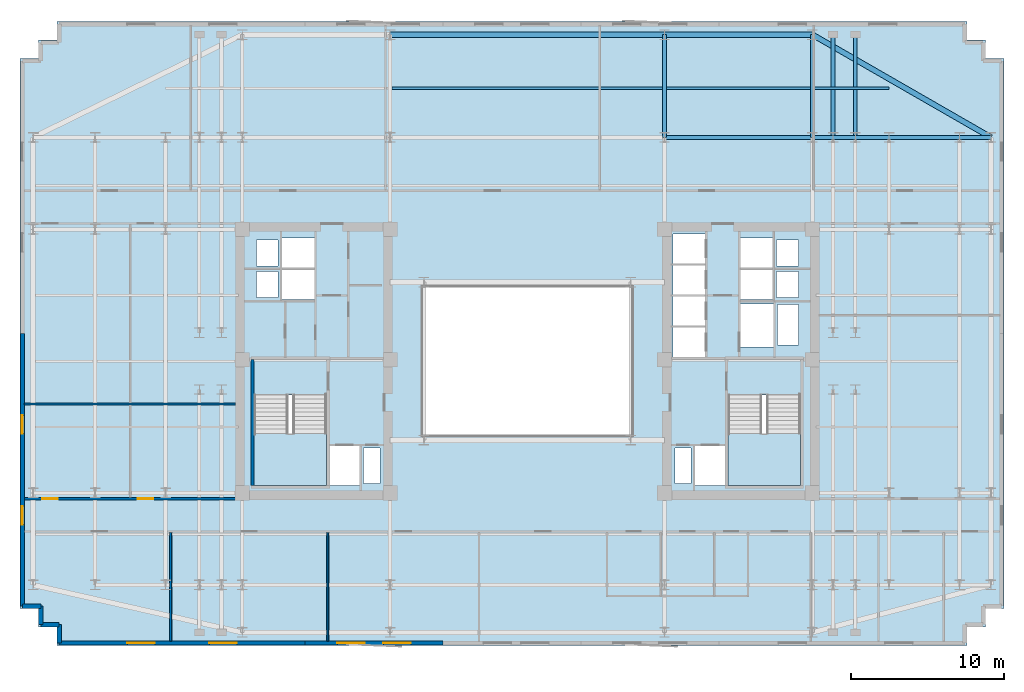
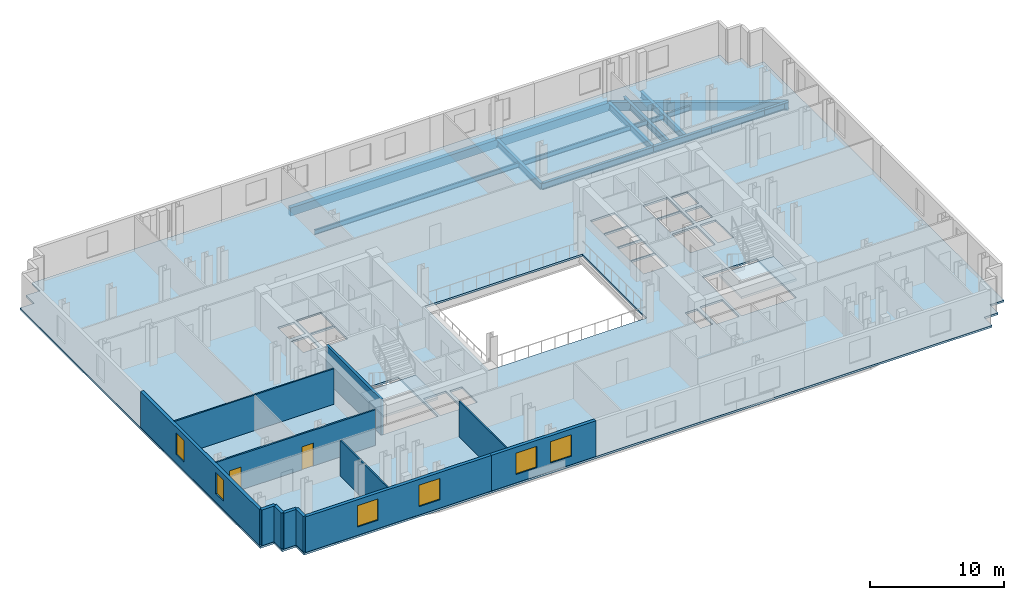
# One storey, part 3 of 9: 14 beams, 12 walls, 6 windows, 3 slabs, 2 doors, 8 openings, 2 elements without a shape of their own.
"""IFC4 building model written with IfcOpenShell, lengths in metres."""

from ifc_helpers import new_model, si_unit, direction, frame, frame_2d, origin, origin_2d, place, context, subcontext, project, spatial, polyline, rectangle, i_section, outline, extrude, material, layer, layer_set, material_profile, profile_set, type_object, element, fill, aggregate, save


model = new_model("IFC4")

# Units and contexts
model_context = context("Model", 3, precision=1e-05, world=origin(), true_north=direction((0.0, 1.0)))
body_context = subcontext(model_context, "Body", "Model", "MODEL_VIEW")
ifc_project = project(units=[si_unit("LENGTHUNIT", "METRE"), si_unit("AREAUNIT", "SQUARE_METRE"), si_unit("VOLUMEUNIT", "CUBIC_METRE"), si_unit("PLANEANGLEUNIT", "RADIAN"), si_unit("MASSUNIT", "GRAM", prefix="KILO")], contexts=[model_context])

# Site, building, storey
site_placement = place(None, origin())
site = spatial("IfcSite", under=ifc_project, at=site_placement, CompositionType="ELEMENT")
building_placement = place(site_placement, origin())
building = spatial("IfcBuilding", under=site, at=building_placement, Name="Velakula Bourse", CompositionType="ELEMENT")
storey_placement = place(building_placement, frame((0.0, 0.0, 138.10009765625)))
storey = spatial("IfcBuildingStorey", under=building, at=storey_placement, Name="L37", CompositionType="ELEMENT", Elevation=138.10009765625)

# Beams
ifc_material_1 = material(Name="Steel IS 2062 Grade 350 (E350)", Category="steel")
ifc_material_profile_1 = material_profile(ifc_material_1, i_section(OverallWidth=0.25, OverallDepth=0.60009765625, WebThickness=0.01123046875, FlangeThickness=0.021240234375, at=origin_2d()), Name="Steel IS 2062 Grade 350 (E350)")
ifc_profile_set_1 = profile_set([ifc_material_profile_1], Name="Steel IS 2062 Grade 350 (E350)")
beam_type_1 = type_object("IfcBeamType", Name="BM-GRD-600M", PredefinedType="BEAM", material=ifc_profile_set_1)
beam_1_placement = place(storey_placement, frame((8.949951171875, 14.60009765625, -0.47998046875), z_axis=(1.0, 0.0, 0.0), x_axis=(0.0, 1.0, 0.0)))
element("IfcBeam", 1, at=beam_1_placement, inside=storey, type_object=beam_type_1, Name="L37 Fulcrum Grid Girder FLC-N3", PredefinedType="BEAM", context=body_context, shape_type="SweptSolid", body=[
    extrude(i_section(OverallWidth=0.25, OverallDepth=0.60009765625, WebThickness=0.01123046875, FlangeThickness=0.021240234375, at=origin_2d()), origin(), (0.0, 0.0, 1.0), 9.650146484375),
])
beam_2_placement = place(storey_placement, frame((18.60009765625, 14.60009765625, -0.47998046875), z_axis=(1.0, 0.0, 0.0), x_axis=(0.0, 1.0, 0.0)))
element("IfcBeam", 2, at=beam_2_placement, inside=storey, type_object=beam_type_1, Name="L37 Fulcrum Grid Girder MWG-EN2", PredefinedType="BEAM", context=body_context, shape_type="SweptSolid", body=[
    extrude(i_section(OverallWidth=0.25, OverallDepth=0.60009765625, WebThickness=0.01123046875, FlangeThickness=0.021240234375, at=origin_2d()), origin(), (0.0, 0.0, 1.0), 5.0),
])
beam_3_placement = place(storey_placement, frame((23.60009765625, 14.60009765625, -0.47998046875), z_axis=(1.0, 0.0, 0.0), x_axis=(0.0, 1.0, 0.0)))
element("IfcBeam", 3, at=beam_3_placement, inside=storey, type_object=beam_type_1, Name="L37 Fulcrum Grid Girder WNG-EN2", PredefinedType="BEAM", context=body_context, shape_type="SweptSolid", body=[
    extrude(i_section(OverallWidth=0.25, OverallDepth=0.60009765625, WebThickness=0.01123046875, FlangeThickness=0.021240234375, at=origin_2d()), origin(), (0.0, 0.0, 1.0), 4.599853515625),
])
for number, where, z_axis, x_axis, name in (
    (4, (8.949951171875, 14.60009765625, -0.47998046875), (0.0, 1.0, 0.0), (-1.0, 0.0, 0.0), "L37 Perimeter Tie Girder N3"),
    (5, (18.60009765625, 14.60009765625, -0.47998046875), (0.0, 1.0, 0.0), (-1.0, 0.0, 0.0), "L37 Perimeter Tie Girder N4"),
):
    element("IfcBeam", number, at=place(storey_placement, frame(where, z_axis=z_axis, x_axis=x_axis)), inside=storey, type_object=beam_type_1, Name=name, PredefinedType="BEAM", context=body_context, shape_type="SweptSolid", body=[
        extrude(i_section(OverallWidth=0.25, OverallDepth=0.60009765625, WebThickness=0.01123046875, FlangeThickness=0.021240234375, at=origin_2d()), origin(), (0.0, 0.0, 1.0), 6.699951171875),
    ])
beam_4_placement = place(storey_placement, frame((28.199951171875, 14.60009765625, -0.47998046875), z_axis=(1.0, 0.0, 0.0), x_axis=(0.0, 1.0, 0.0)))
element("IfcBeam", 6, at=beam_4_placement, inside=storey, type_object=beam_type_1, Name="L37 Perimeter Tie Girder E4", PredefinedType="BEAM", context=body_context, shape_type="SweptSolid", body=[
    extrude(i_section(OverallWidth=0.25, OverallDepth=0.60009765625, WebThickness=0.01123046875, FlangeThickness=0.021240234375, at=origin_2d()), origin(), (0.0, 0.0, 1.0), 2.050048828125),
])
for number, where, z_axis, x_axis, name in (
    (7, (19.949951171875, 14.60009765625, -0.47998046875), (0.0, 1.0, 0.0), (-1.0, 0.0, 0.0), "L37 Perimeter Tie Girder P07"),
    (8, (21.39990234375, 14.60009765625, -0.47998046875), (0.0, 1.0, 0.0), (-1.0, 0.0, 0.0), "L37 Perimeter Tie Girder P08"),
):
    element("IfcBeam", number, at=place(storey_placement, frame(where, z_axis=z_axis, x_axis=x_axis)), inside=storey, type_object=beam_type_1, Name=name, PredefinedType="BEAM", context=body_context, shape_type="SweptSolid", body=[
        extrude(i_section(OverallWidth=0.25, OverallDepth=0.60009765625, WebThickness=0.01123046875, FlangeThickness=0.021240234375, at=origin_2d()), origin(), (0.0, 0.0, 1.0), 6.699951171875),
    ])
ifc_material_profile_2 = material_profile(ifc_material_1, i_section(OverallWidth=0.14990234375, OverallDepth=0.449951171875, WebThickness=0.009521484375, FlangeThickness=0.017333984375, at=origin_2d()), Name="Steel IS 2062 Grade 350 (E350)")
ifc_profile_set_2 = profile_set([ifc_material_profile_2], Name="Steel IS 2062 Grade 350 (E350)")
beam_type_2 = type_object("IfcBeamType", Name="JST-TWR-450", PredefinedType="JOIST", material=ifc_profile_set_2)
beam_5_placement = place(storey_placement, frame((-8.824951171875, 17.800048828125, -0.405029296875), z_axis=(1.0, 0.0, 0.0), x_axis=(0.0, 1.0, 0.0)))
element("IfcBeam", 9, at=beam_5_placement, inside=storey, type_object=beam_type_2, Name="L37 Trading Floor Composite Joist 19", PredefinedType="JOIST", context=body_context, shape_type="SweptSolid", body=[
    extrude(i_section(OverallWidth=0.14990234375, OverallDepth=0.449951171875, WebThickness=0.009521484375, FlangeThickness=0.017333984375, at=origin_2d()), origin(), (0.0, 0.0, 1.0), 17.64990234375),
])
beam_6_placement = place(storey_placement, frame((9.074951171875, 17.800048828125, -0.405029296875), z_axis=(1.0, 0.0, 0.0), x_axis=(0.0, 1.0, 0.0)))
element("IfcBeam", 10, at=beam_6_placement, inside=storey, type_object=beam_type_2, Name="L37 Trading Floor Composite Joist 20", PredefinedType="JOIST", context=body_context, shape_type="SweptSolid", body=[
    extrude(i_section(OverallWidth=0.14990234375, OverallDepth=0.449951171875, WebThickness=0.009521484375, FlangeThickness=0.017333984375, at=origin_2d()), origin(), (0.0, 0.0, 1.0), 9.400146484375),
])
beam_7_placement = place(storey_placement, frame((18.72509765625, 17.800048828125, -0.405029296875), z_axis=(1.0, 0.0, 0.0), x_axis=(0.0, 1.0, 0.0)))
element("IfcBeam", 11, at=beam_7_placement, inside=storey, type_object=beam_type_2, Name="L37 Trading Floor Composite Joist 21", PredefinedType="JOIST", context=body_context, shape_type="SweptSolid", body=[
    extrude(i_section(OverallWidth=0.14990234375, OverallDepth=0.449951171875, WebThickness=0.009521484375, FlangeThickness=0.017333984375, at=origin_2d()), origin(), (0.0, 0.0, 1.0), 4.875),
])
ifc_material_2 = material(Name="Precast concrete M45 (fck 45 MPa)", Category="concrete")
ifc_material_profile_3 = material_profile(ifc_material_2, rectangle(XDim=0.35009765625, YDim=0.75, at=origin_2d()), Name="Precast concrete M45 (fck 45 MPa)")
ifc_profile_set_3 = profile_set([ifc_material_profile_3], Name="Precast concrete M45 (fck 45 MPa)")
beam_type_3 = type_object("IfcBeamType", Name="SPN-BRICK-750", PredefinedType="SPANDREL", material=ifc_profile_set_3)
beam_8_placement = place(storey_placement, frame((-8.949951171875, 21.300048828125, -0.55517578125), z_axis=(1.0, 0.0, 0.0), x_axis=(0.0, 1.0, 0.0)))
element("IfcBeam", 12, at=beam_8_placement, inside=storey, type_object=beam_type_3, Name="L37 Brick-Faced Precast Spandrel N2-N3", PredefinedType="SPANDREL", context=body_context, shape_type="SweptSolid", body=[
    extrude(rectangle(XDim=0.35009765625, YDim=0.75, at=origin_2d()), origin(), (0.0, 0.0, 1.0), 17.89990234375),
])
beam_9_placement = place(storey_placement, frame((8.949951171875, 21.300048828125, -0.55517578125), z_axis=(1.0, 0.0, 0.0), x_axis=(0.0, 1.0, 0.0)))
element("IfcBeam", 13, at=beam_9_placement, inside=storey, type_object=beam_type_3, Name="L37 Brick-Faced Precast Spandrel N3-N4", PredefinedType="SPANDREL", context=body_context, shape_type="SweptSolid", body=[
    extrude(rectangle(XDim=0.35009765625, YDim=0.75, at=origin_2d()), origin(), (0.0, 0.0, 1.0), 9.650146484375),
])
beam_10_placement = place(storey_placement, frame((30.25, 14.60009765625, -0.55517578125), z_axis=(-0.866865871572, 0.498541433286, 0.0), x_axis=(-0.498541433286, -0.866865871572, 0.0)))
element("IfcBeam", 14, at=beam_10_placement, inside=storey, type_object=beam_type_3, Name="L37 Brick-Faced Precast Spandrel E4-N4", PredefinedType="SPANDREL", context=body_context, shape_type="SweptSolid", body=[
    extrude(rectangle(XDim=0.35009765625, YDim=0.75, at=origin_2d()), origin(), (0.0, 0.0, 1.0), 13.439208984375),
])

# Stair, slab
ifc_material_3 = material(Name="Concrete M45 (fck 45 MPa)", Category="concrete")
stair_type = type_object("IfcStairType", Name="STR-DOG-390", PredefinedType="HALF_TURN_STAIR", material=ifc_material_3)
stair_1_placement = place(storey_placement, origin())
stair_1 = element("IfcStair", 15, at=stair_1_placement, inside=storey, type_object=stair_type, Name="L37 West Core Exit Stair ST-W1", PredefinedType="HALF_TURN_STAIR")
ifc_layer_1 = layer(ifc_material_3, 0.199951171875, Name="Concrete M45 (fck 45 MPa)", Category="concrete")
ifc_layer_set_1 = layer_set([ifc_layer_1], Name="Concrete M45 (fck 45 MPa)")
slab_type_1 = type_object("IfcSlabType", Name="SLB-STAIR-LND-200", PredefinedType="LANDING", material=ifc_layer_set_1)
slab_1_placement = place(storey_placement, frame((0.0, 0.0, 1.52490234375)))
slab_1 = element("IfcSlab", 16, at=slab_1_placement, type_object=slab_type_1, Name="ST-W1 landing 1", PredefinedType="LANDING", context=body_context, shape_type="SweptSolid", body=[
    extrude(outline(polyline([(-17.820068359375, -4.719970703125), (-17.820068359375, -8.10009765625), (-13.10009765625, -8.10009765625), (-13.10009765625, -4.719970703125), (-17.820068359375, -4.719970703125)])), origin(), (0.0, 0.0, 1.0), 0.199951171875),
])
aggregate(stair_1, [slab_1])

stair_2_placement = place(storey_placement, origin())
stair_2 = element("IfcStair", 17, at=stair_2_placement, inside=storey, type_object=stair_type, Name="L37 East Core Exit Stair ST-E1", PredefinedType="HALF_TURN_STAIR")
slab_2_placement = place(storey_placement, frame((0.0, 0.0, 1.52490234375)))
slab_2 = element("IfcSlab", 18, at=slab_2_placement, type_object=slab_type_1, Name="ST-E1 landing 1", PredefinedType="LANDING", context=body_context, shape_type="SweptSolid", body=[
    extrude(outline(polyline([(13.10009765625, -4.719970703125), (13.10009765625, -8.10009765625), (17.820068359375, -8.10009765625), (17.820068359375, -4.719970703125), (13.10009765625, -4.719970703125)])), origin(), (0.0, 0.0, 1.0), 0.199951171875),
])
aggregate(stair_2, [slab_2])

# Slab
ifc_material_4 = material(Name="Concrete M50 (fck 50 MPa)", Category="concrete")
ifc_layer_2 = layer(ifc_material_4, 0.179931640625, Name="Concrete M50 (fck 50 MPa)", Category="concrete")
ifc_layer_set_2 = layer_set([ifc_layer_2], Name="Concrete M50 (fck 50 MPa)")
slab_type_2 = type_object("IfcSlabType", Name="SLB-TWR-180", PredefinedType="FLOOR", material=ifc_layer_set_2)
slab_3_placement = place(storey_placement, frame((0.0, 0.0, -0.18017578125)))
element("IfcSlab", 19, at=slab_3_placement, inside=storey, type_object=slab_type_2, Name="L37 Suspended Structural Floor Slab", PredefinedType="FLOOR", context=body_context, shape_type="SweptSolid", body=[
    extrude(outline(polyline([(-30.699951171875, -18.550048828125), (28.699951171875, -18.550048828125), (28.699951171875, -17.35009765625), (29.89990234375, -17.35009765625), (29.89990234375, -16.14990234375), (31.10009765625, -16.14990234375), (31.10009765625, 19.75), (29.89990234375, 19.75), (29.89990234375, 20.949951171875), (28.699951171875, 20.949951171875), (28.699951171875, 22.14990234375), (-30.699951171875, 22.14990234375), (-30.699951171875, 20.949951171875), (-31.89990234375, 20.949951171875), (-31.89990234375, 19.75), (-33.10009765625, 19.75), (-33.10009765625, -16.14990234375), (-31.89990234375, -16.14990234375), (-31.89990234375, -17.35009765625), (-30.699951171875, -17.35009765625), (-30.699951171875, -18.550048828125)]), holes=[polyline([(-17.820068359375, -8.10009765625), (-13.10009765625, -8.10009765625), (-13.10009765625, -2.199951171875), (-17.820068359375, -2.199951171875), (-17.820068359375, -8.10009765625)]), polyline([(13.10009765625, -8.10009765625), (17.820068359375, -8.10009765625), (17.820068359375, -2.199951171875), (13.10009765625, -2.199951171875), (13.10009765625, -8.10009765625)]), polyline([(-12.89990234375, -8.10009765625), (-10.949951171875, -8.10009765625), (-10.949951171875, -5.550048828125), (-12.89990234375, -5.550048828125), (-12.89990234375, -8.10009765625)]), polyline([(10.949951171875, -8.10009765625), (12.89990234375, -8.10009765625), (12.89990234375, -5.550048828125), (10.949951171875, -5.550048828125), (10.949951171875, -8.10009765625)]), polyline([(13.89990234375, 0.919921875), (16.050048828125, 0.919921875), (16.050048828125, 3.719970703125), (13.89990234375, 3.719970703125), (13.89990234375, 0.919921875)]), polyline([(-10.679931640625, -7.97998046875), (-9.6201171875, -7.97998046875), (-9.6201171875, -5.669921875), (-10.679931640625, -5.669921875), (-10.679931640625, -7.97998046875)]), polyline([(-17.679931640625, 4.139892578125), (-16.27001953125, 4.139892578125), (-16.27001953125, 5.85009765625), (-17.679931640625, 5.85009765625), (-17.679931640625, 4.139892578125)]), polyline([(-17.679931640625, 6.2099609375), (-16.27001953125, 6.2099609375), (-16.27001953125, 7.919921875), (-17.679931640625, 7.919921875), (-17.679931640625, 6.2099609375)]), polyline([(9.6201171875, -7.97998046875), (10.679931640625, -7.97998046875), (10.679931640625, -5.669921875), (9.6201171875, -5.669921875), (9.6201171875, -7.97998046875)]), polyline([(16.27001953125, 4.139892578125), (17.679931640625, 4.139892578125), (17.679931640625, 5.85009765625), (16.27001953125, 5.85009765625), (16.27001953125, 4.139892578125)]), polyline([(16.27001953125, 6.2099609375), (17.679931640625, 6.2099609375), (17.679931640625, 7.919921875), (16.27001953125, 7.919921875), (16.27001953125, 6.2099609375)]), polyline([(16.320068359375, 1.0400390625), (17.679931640625, 1.0400390625), (17.679931640625, 3.699951171875), (16.320068359375, 3.699951171875), (16.320068359375, 1.0400390625)]), polyline([(9.5, 0.280029296875), (11.60009765625, 0.280029296875), (11.60009765625, 2.199951171875), (9.5, 2.199951171875), (9.5, 0.280029296875)]), polyline([(9.5, 2.31005859375), (11.60009765625, 2.31005859375), (11.60009765625, 4.22998046875), (9.5, 4.22998046875), (9.5, 2.31005859375)]), polyline([(9.5, 4.340087890625), (11.60009765625, 4.340087890625), (11.60009765625, 6.260009765625), (9.5, 6.260009765625), (9.5, 4.340087890625)]), polyline([(9.5, 6.3701171875), (11.60009765625, 6.3701171875), (11.60009765625, 8.2900390625), (9.5, 8.2900390625), (9.5, 6.3701171875)]), polyline([(-16.0, 4.02001953125), (-13.89990234375, 4.02001953125), (-13.89990234375, 5.969970703125), (-16.0, 5.969970703125), (-16.0, 4.02001953125)]), polyline([(-16.0, 6.090087890625), (-13.89990234375, 6.090087890625), (-13.89990234375, 8.0400390625), (-16.0, 8.0400390625), (-16.0, 6.090087890625)]), polyline([(13.89990234375, 4.02001953125), (16.0, 4.02001953125), (16.0, 5.969970703125), (13.89990234375, 5.969970703125), (13.89990234375, 4.02001953125)]), polyline([(13.89990234375, 6.090087890625), (16.0, 6.090087890625), (16.0, 8.0400390625), (13.89990234375, 8.0400390625), (13.89990234375, 6.090087890625)]), polyline([(-6.800048828125, -4.800048828125), (6.800048828125, -4.800048828125), (6.800048828125, 4.800048828125), (-6.800048828125, 4.800048828125), (-6.800048828125, -4.800048828125)])]), origin(), (0.0, 0.0, 1.0), 0.18017578125),
])

# Wall
ifc_layer_3 = layer(ifc_material_4, 0.2099609375, Name="Concrete M50 (fck 50 MPa)", Category="concrete")
ifc_layer_set_3 = layer_set([ifc_layer_3], Name="Concrete M50 (fck 50 MPa)")
wall_type_1 = type_object("IfcWallType", Name="WL-CORE-210", PredefinedType="SHEAR", material=ifc_layer_set_3)
wall_1_placement = place(storey_placement, frame((-17.925048828125, -8.10009765625, 0.0), z_axis=(0.0, 0.0, 1.0), x_axis=(0.0, 1.0, 0.0)))
element("IfcWall", 20, at=wall_1_placement, inside=storey, type_object=wall_type_1, Name="L37 Core W Stairwell Shear Wall OUT", PredefinedType="SHEAR", context=body_context, shape_type="SweptSolid", body=[
    extrude(rectangle(XDim=8.2001953125, YDim=0.2099609375, at=frame_2d((4.10009765625, 0.0))), origin(), (0.0, 0.0, 1.0), 3.27001953125),
])

# Wall, openings, windows
ifc_material_5 = material(Name="Red kilned clay facing brick masonry", Category="masonry")
ifc_layer_4 = layer(ifc_material_5, 0.280029296875, Name="Red kilned clay facing brick masonry", Category="masonry")
ifc_layer_set_4 = layer_set([ifc_layer_4], Name="Red kilned clay facing brick masonry")
wall_type_2 = type_object("IfcWallType", Name="WL-EXT-BRK-280", PredefinedType="STANDARD", material=ifc_layer_set_4)
wall_2_placement = place(storey_placement, frame((-14.5, -18.389892578125, 0.0), z_axis=(0.0, 0.0, 1.0), x_axis=(-1.0, 0.0, 0.0)))
wall_2 = element("IfcWall", 21, at=wall_2_placement, inside=storey, type_object=wall_type_2, Name="L37 S Brick Spandrel Wall B1", PredefinedType="STANDARD", context=body_context, shape_type="SweptSolid", body=[
    extrude(rectangle(XDim=16.0400390625, YDim=0.280029296875, at=frame_2d((8.02001953125, 0.0))), origin(), (0.0, 0.0, 1.0), 3.25),
])
opening_1_placement = place(wall_2_placement, frame((4.44677734375, 0.0, 0.760009765625)))
opening_1 = element("IfcOpeningElement", 22, at=opening_1_placement, cuts=wall_2, Name="Opening W-01", PredefinedType="OPENING", context=body_context, shape_type="SweptSolid", body=[
    extrude(rectangle(XDim=1.800048828125, YDim=1.949951171875, at=frame_2d((0.89990234375, 0.97509765625))), frame((0.0, 0.14990234375, 0.0), z_axis=(0.0, -1.0, 0.0), x_axis=(1.0, 0.0, 0.0)), (0.0, 0.0, 1.0), 0.300048828125),
])
opening_2_placement = place(wall_2_placement, frame((9.793212890625, 0.0, 0.760009765625)))
opening_2 = element("IfcOpeningElement", 23, at=opening_2_placement, cuts=wall_2, Name="Opening W-01", PredefinedType="OPENING", context=body_context, shape_type="SweptSolid", body=[
    extrude(rectangle(XDim=1.800048828125, YDim=1.949951171875, at=frame_2d((0.89990234375, 0.97509765625))), frame((0.0, 0.14990234375, 0.0), z_axis=(0.0, -1.0, 0.0), x_axis=(1.0, 0.0, 0.0)), (0.0, 0.0, 1.0), 0.300048828125),
])
ifc_material_6 = material(Name="Double-glazed solar-control Low-E glass", Category="glass")
window_type_1 = type_object("IfcWindowType", Name="WIN-TWR-1800x2100", PartitioningType="SINGLE_PANEL", PredefinedType="WINDOW", material=ifc_material_6)
window_1_placement = place(opening_1_placement, origin())
window_1 = element("IfcWindow", 24, at=window_1_placement, inside=storey, type_object=window_type_1, Name="L37 Deep-Set Recessed Window 1", OverallHeight=1.949951171875, OverallWidth=1.800048828125, PartitioningType="SINGLE_PANEL", PredefinedType="WINDOW", context=body_context, shape_type="SweptSolid", body=[
    extrude(rectangle(XDim=1.800048828125, YDim=1.949951171875, at=frame_2d((0.89990234375, 0.97509765625))), frame((0.0, 0.030029296875, 0.0), z_axis=(0.0, -1.0, 0.0), x_axis=(1.0, 0.0, 0.0)), (0.0, 0.0, 1.0), 0.06005859375),
])
fill(opening_1, window_1)
window_2_placement = place(opening_2_placement, origin())
window_2 = element("IfcWindow", 25, at=window_2_placement, inside=storey, type_object=window_type_1, Name="L37 Deep-Set Recessed Window 2", OverallHeight=1.949951171875, OverallWidth=1.800048828125, PartitioningType="SINGLE_PANEL", PredefinedType="WINDOW", context=body_context, shape_type="SweptSolid", body=[
    extrude(rectangle(XDim=1.800048828125, YDim=1.949951171875, at=frame_2d((0.89990234375, 0.97509765625))), frame((0.0, 0.030029296875, 0.0), z_axis=(0.0, -1.0, 0.0), x_axis=(1.0, 0.0, 0.0)), (0.0, 0.0, 1.0), 0.06005859375),
])
fill(opening_2, window_2)

wall_3_placement = place(storey_placement, frame((-5.5, -18.389892578125, 0.0), z_axis=(0.0, 0.0, 1.0), x_axis=(-1.0, 0.0, 0.0)))
wall_3 = element("IfcWall", 26, at=wall_3_placement, inside=storey, type_object=wall_type_2, Name="L37 S Brick Spandrel Wall B2", PredefinedType="STANDARD", context=body_context, shape_type="SweptSolid", body=[
    extrude(rectangle(XDim=9.0, YDim=0.280029296875, at=frame_2d((4.5, 0.0))), origin(), (0.0, 0.0, 1.0), 3.25),
])
opening_3_placement = place(wall_3_placement, frame((2.10009765625, 0.0, 0.760009765625)))
opening_3 = element("IfcOpeningElement", 27, at=opening_3_placement, cuts=wall_3, Name="Opening W-01", PredefinedType="OPENING", context=body_context, shape_type="SweptSolid", body=[
    extrude(rectangle(XDim=1.800048828125, YDim=1.949951171875, at=frame_2d((0.89990234375, 0.97509765625))), frame((0.0, 0.14990234375, 0.0), z_axis=(0.0, -1.0, 0.0), x_axis=(1.0, 0.0, 0.0)), (0.0, 0.0, 1.0), 0.300048828125),
])
opening_4_placement = place(wall_3_placement, frame((5.10009765625, 0.0, 0.760009765625)))
opening_4 = element("IfcOpeningElement", 28, at=opening_4_placement, cuts=wall_3, Name="Opening W-01", PredefinedType="OPENING", context=body_context, shape_type="SweptSolid", body=[
    extrude(rectangle(XDim=1.800048828125, YDim=1.949951171875, at=frame_2d((0.89990234375, 0.97509765625))), frame((0.0, 0.14990234375, 0.0), z_axis=(0.0, -1.0, 0.0), x_axis=(1.0, 0.0, 0.0)), (0.0, 0.0, 1.0), 0.300048828125),
])
window_3_placement = place(opening_3_placement, origin())
window_3 = element("IfcWindow", 29, at=window_3_placement, inside=storey, type_object=window_type_1, Name="L37 Deep-Set Recessed Window 1", OverallHeight=1.949951171875, OverallWidth=1.800048828125, PartitioningType="SINGLE_PANEL", PredefinedType="WINDOW", context=body_context, shape_type="SweptSolid", body=[
    extrude(rectangle(XDim=1.800048828125, YDim=1.949951171875, at=frame_2d((0.89990234375, 0.97509765625))), frame((0.0, 0.030029296875, 0.0), z_axis=(0.0, -1.0, 0.0), x_axis=(1.0, 0.0, 0.0)), (0.0, 0.0, 1.0), 0.06005859375),
])
fill(opening_3, window_3)
window_4_placement = place(opening_4_placement, origin())
window_4 = element("IfcWindow", 30, at=window_4_placement, inside=storey, type_object=window_type_1, Name="L37 Deep-Set Recessed Window 2", OverallHeight=1.949951171875, OverallWidth=1.800048828125, PartitioningType="SINGLE_PANEL", PredefinedType="WINDOW", context=body_context, shape_type="SweptSolid", body=[
    extrude(rectangle(XDim=1.800048828125, YDim=1.949951171875, at=frame_2d((0.89990234375, 0.97509765625))), frame((0.0, 0.030029296875, 0.0), z_axis=(0.0, -1.0, 0.0), x_axis=(1.0, 0.0, 0.0)), (0.0, 0.0, 1.0), 0.06005859375),
])
fill(opening_4, window_4)

wall_4_placement = place(storey_placement, frame((-32.93994140625, -15.989990234375, 0.0), z_axis=(0.0, 0.0, 1.0), x_axis=(0.0, 1.0, 0.0)))
wall_4 = element("IfcWall", 31, at=wall_4_placement, inside=storey, type_object=wall_type_2, Name="L37 W Brick End Wall W1", PredefinedType="STANDARD", context=body_context, shape_type="SweptSolid", body=[
    extrude(rectangle(XDim=17.7900390625, YDim=0.280029296875, at=frame_2d((8.89501953125, 0.0))), origin(), (0.0, 0.0, 1.0), 3.25),
])
opening_5_placement = place(wall_4_placement, frame((5.330078125, 0.0, 0.760009765625)))
opening_5 = element("IfcOpeningElement", 32, at=opening_5_placement, cuts=wall_4, Name="Opening W-04", PredefinedType="OPENING", context=body_context, shape_type="SweptSolid", body=[
    extrude(rectangle(XDim=1.199951171875, YDim=1.949951171875, at=frame_2d((0.60009765625, 0.97509765625))), frame((0.0, 0.14990234375, 0.0), z_axis=(0.0, -1.0, 0.0), x_axis=(1.0, 0.0, 0.0)), (0.0, 0.0, 1.0), 0.300048828125),
])
opening_6_placement = place(wall_4_placement, frame((11.260009765625, 0.0, 0.760009765625)))
opening_6 = element("IfcOpeningElement", 33, at=opening_6_placement, cuts=wall_4, Name="Opening W-04", PredefinedType="OPENING", context=body_context, shape_type="SweptSolid", body=[
    extrude(rectangle(XDim=1.199951171875, YDim=1.949951171875, at=frame_2d((0.60009765625, 0.97509765625))), frame((0.0, 0.14990234375, 0.0), z_axis=(0.0, -1.0, 0.0), x_axis=(1.0, 0.0, 0.0)), (0.0, 0.0, 1.0), 0.300048828125),
])
window_type_2 = type_object("IfcWindowType", Name="WIN-TWR-1200x2100", PartitioningType="SINGLE_PANEL", PredefinedType="WINDOW", material=ifc_material_6)
window_5_placement = place(opening_5_placement, origin())
window_5 = element("IfcWindow", 34, at=window_5_placement, inside=storey, type_object=window_type_2, Name="L37 Deep-Set Recessed Window 1", OverallHeight=1.949951171875, OverallWidth=1.199951171875, PartitioningType="SINGLE_PANEL", PredefinedType="WINDOW", context=body_context, shape_type="SweptSolid", body=[
    extrude(rectangle(XDim=1.199951171875, YDim=1.949951171875, at=frame_2d((0.60009765625, 0.97509765625))), frame((0.0, 0.030029296875, 0.0), z_axis=(0.0, -1.0, 0.0), x_axis=(1.0, 0.0, 0.0)), (0.0, 0.0, 1.0), 0.06005859375),
])
fill(opening_5, window_5)
window_6_placement = place(opening_6_placement, origin())
window_6 = element("IfcWindow", 35, at=window_6_placement, inside=storey, type_object=window_type_2, Name="L37 Deep-Set Recessed Window 2", OverallHeight=1.949951171875, OverallWidth=1.199951171875, PartitioningType="SINGLE_PANEL", PredefinedType="WINDOW", context=body_context, shape_type="SweptSolid", body=[
    extrude(rectangle(XDim=1.199951171875, YDim=1.949951171875, at=frame_2d((0.60009765625, 0.97509765625))), frame((0.0, 0.030029296875, 0.0), z_axis=(0.0, -1.0, 0.0), x_axis=(1.0, 0.0, 0.0)), (0.0, 0.0, 1.0), 0.06005859375),
])
fill(opening_6, window_6)

# Walls
for number, where, z_axis, x_axis, name in (
    (36, (-32.93994140625, -15.989990234375, 0.0), (0.0, 0.0, 1.0), (1.0, 0.0, 0.0), "L37 Serrated Corner Brick Wall SW-1"),
    (37, (-31.739990234375, -15.989990234375, 0.0), (0.0, 0.0, 1.0), (0.0, -1.0, 0.0), "L37 Serrated Corner Brick Wall SW-2"),
    (38, (-31.739990234375, -17.18994140625, 0.0), (0.0, 0.0, 1.0), (1.0, 0.0, 0.0), "L37 Serrated Corner Brick Wall SW-3"),
    (39, (-30.5400390625, -17.18994140625, 0.0), (0.0, 0.0, 1.0), (0.0, -1.0, 0.0), "L37 Serrated Corner Brick Wall SW-4"),
):
    element("IfcWall", number, at=place(storey_placement, frame(where, z_axis=z_axis, x_axis=x_axis)), inside=storey, type_object=wall_type_2, Name=name, PredefinedType="STANDARD", context=body_context, shape_type="SweptSolid", body=[
        extrude(rectangle(XDim=1.199951171875, YDim=0.280029296875, at=frame_2d((0.60009765625, 0.0))), origin(), (0.0, 0.0, 1.0), 3.25),
    ])
ifc_material_7 = material(Name="Fire-rated double-layer gypsum drywall partition", Category="gypsum")
ifc_layer_5 = layer(ifc_material_7, 0.1201171875, Name="Fire-rated double-layer gypsum drywall partition", Category="gypsum")
ifc_layer_set_5 = layer_set([ifc_layer_5], Name="Fire-rated double-layer gypsum drywall partition")
wall_type_3 = type_object("IfcWallType", Name="WL-PART-120", PredefinedType="STANDARD", material=ifc_layer_set_5)
for number, where, z_axis, x_axis, name in (
    (40, (-23.27001953125, -18.27001953125, 0.0), (0.0, 0.0, 1.0), (0.0, 1.0, 0.0), "L37 Interior Partition WL-INT-L37-SL-D5"),
    (41, (-13.02099609375, -18.27001953125, 0.0), (0.0, 0.0, 1.0), (0.0, 1.0, 0.0), "L37 Interior Partition WL-INT-L37-SL-D6"),
):
    element("IfcWall", number, at=place(storey_placement, frame(where, z_axis=z_axis, x_axis=x_axis)), inside=storey, type_object=wall_type_3, Name=name, PredefinedType="STANDARD", context=body_context, shape_type="SweptSolid", body=[
        extrude(rectangle(XDim=7.080078125, YDim=0.1201171875, at=frame_2d((3.5400390625, 0.0))), origin(), (0.0, 0.0, 1.0), 3.25),
    ])
wall_5_placement = place(storey_placement, frame((-32.820068359375, -2.800048828125, 0.0), z_axis=(0.0, 0.0, 1.0), x_axis=(1.0, 0.0, 0.0)))
element("IfcWall", 42, at=wall_5_placement, inside=storey, type_object=wall_type_3, Name="L37 Interior Partition WL-INT-L37-W-H", PredefinedType="STANDARD", context=body_context, shape_type="SweptSolid", body=[
    extrude(rectangle(XDim=13.77001953125, YDim=0.1201171875, at=frame_2d((6.885009765625, 0.0))), origin(), (0.0, 0.0, 1.0), 3.25),
])

# Wall, openings, doors
ifc_layer_6 = layer(ifc_material_7, 0.139892578125, Name="Fire-rated double-layer gypsum drywall partition", Category="gypsum")
ifc_layer_set_6 = layer_set([ifc_layer_6], Name="Fire-rated double-layer gypsum drywall partition")
wall_type_4 = type_object("IfcWallType", Name="WL-PART-140", PredefinedType="STANDARD", material=ifc_layer_set_6)
wall_6_placement = place(storey_placement, frame((-32.820068359375, -8.97998046875, 0.0), z_axis=(0.0, 0.0, 1.0), x_axis=(1.0, 0.0, 0.0)))
wall_6 = element("IfcWall", 43, at=wall_6_placement, inside=storey, type_object=wall_type_4, Name="L37 Interior Partition WL-INT-L37-W-SC", PredefinedType="STANDARD", context=body_context, shape_type="SweptSolid", body=[
    extrude(rectangle(XDim=13.77001953125, YDim=0.139892578125, at=frame_2d((6.885009765625, 0.0))), origin(), (0.0, 0.0, 1.0), 3.25),
])
opening_7_placement = place(wall_6_placement, frame((1.17138671875, 0.0, 0.0)))
opening_7 = element("IfcOpeningElement", 44, at=opening_7_placement, cuts=wall_6, Name="Opening D-OF1", PredefinedType="OPENING", context=body_context, shape_type="SweptSolid", body=[
    extrude(rectangle(XDim=1.0, YDim=2.080078125, at=frame_2d((0.5, 1.0400390625))), frame((0.0, 0.079833984375, 0.0), z_axis=(0.0, -1.0, 0.0), x_axis=(1.0, 0.0, 0.0)), (0.0, 0.0, 1.0), 0.159912109375),
])
opening_8_placement = place(wall_6_placement, frame((7.4130859375, 0.0, 0.0)))
opening_8 = element("IfcOpeningElement", 45, at=opening_8_placement, cuts=wall_6, Name="Opening D-OF1", PredefinedType="OPENING", context=body_context, shape_type="SweptSolid", body=[
    extrude(rectangle(XDim=1.0, YDim=2.080078125, at=frame_2d((0.5, 1.0400390625))), frame((0.0, 0.079833984375, 0.0), z_axis=(0.0, -1.0, 0.0), x_axis=(1.0, 0.0, 0.0)), (0.0, 0.0, 1.0), 0.159912109375),
])
ifc_material_8 = material(Name="Fire-rated hardwood flush architectural door", Category="wood")
door_type = type_object("IfcDoorType", Name="DR-OFF-1000", OperationType="NOTDEFINED", PredefinedType="DOOR", material=ifc_material_8)
door_1_placement = place(opening_7_placement, origin())
door_1 = element("IfcDoor", 46, at=door_1_placement, inside=storey, type_object=door_type, Name="L37 Issuer Relations Office Door", OperationType="SINGLE_SWING_LEFT", OverallHeight=2.080078125, OverallWidth=1.0, PredefinedType="DOOR", context=body_context, shape_type="SweptSolid", body=[
    extrude(rectangle(XDim=1.0, YDim=2.080078125, at=frame_2d((0.5, 1.0400390625))), frame((0.0, 0.02490234375, 0.0), z_axis=(0.0, -1.0, 0.0), x_axis=(1.0, 0.0, 0.0)), (0.0, 0.0, 1.0), 0.050048828125),
])
fill(opening_7, door_1)
door_2_placement = place(opening_8_placement, origin())
door_2 = element("IfcDoor", 47, at=door_2_placement, inside=storey, type_object=door_type, Name="L37 Clearing Committee Room Door", OperationType="SINGLE_SWING_RIGHT", OverallHeight=2.080078125, OverallWidth=1.0, PredefinedType="DOOR", context=body_context, shape_type="SweptSolid", body=[
    extrude(rectangle(XDim=1.0, YDim=2.080078125, at=frame_2d((0.5, 1.0400390625))), frame((0.0, 0.02490234375, 0.0), z_axis=(0.0, -1.0, 0.0), x_axis=(1.0, 0.0, 0.0)), (0.0, 0.0, 1.0), 0.050048828125),
])
fill(opening_8, door_2)

save(model, "model.ifc")
